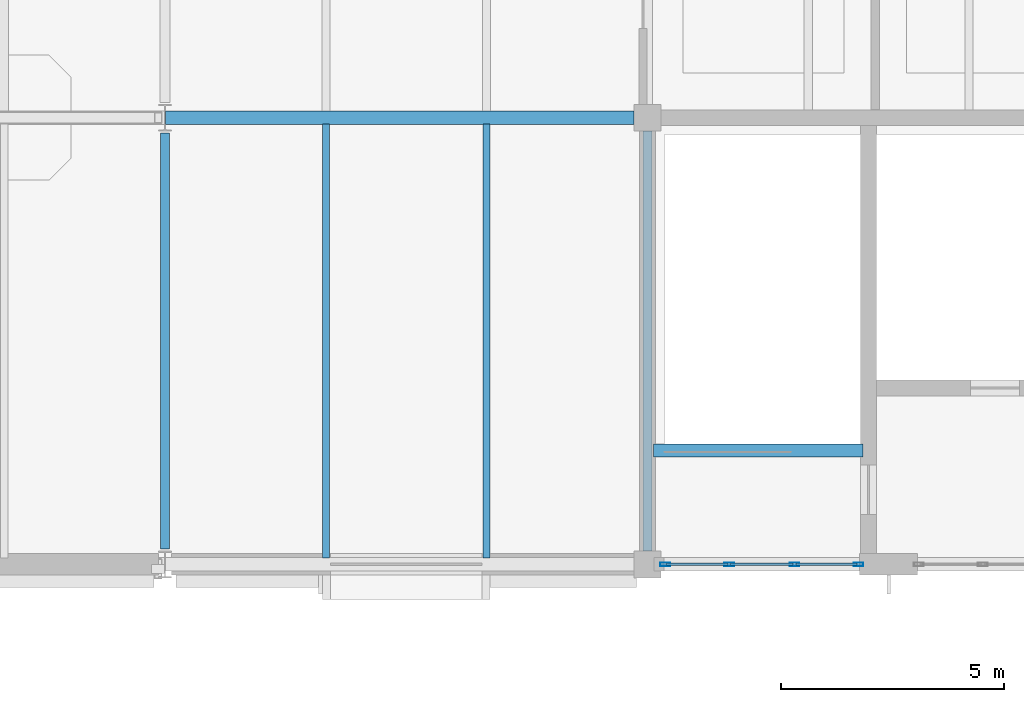
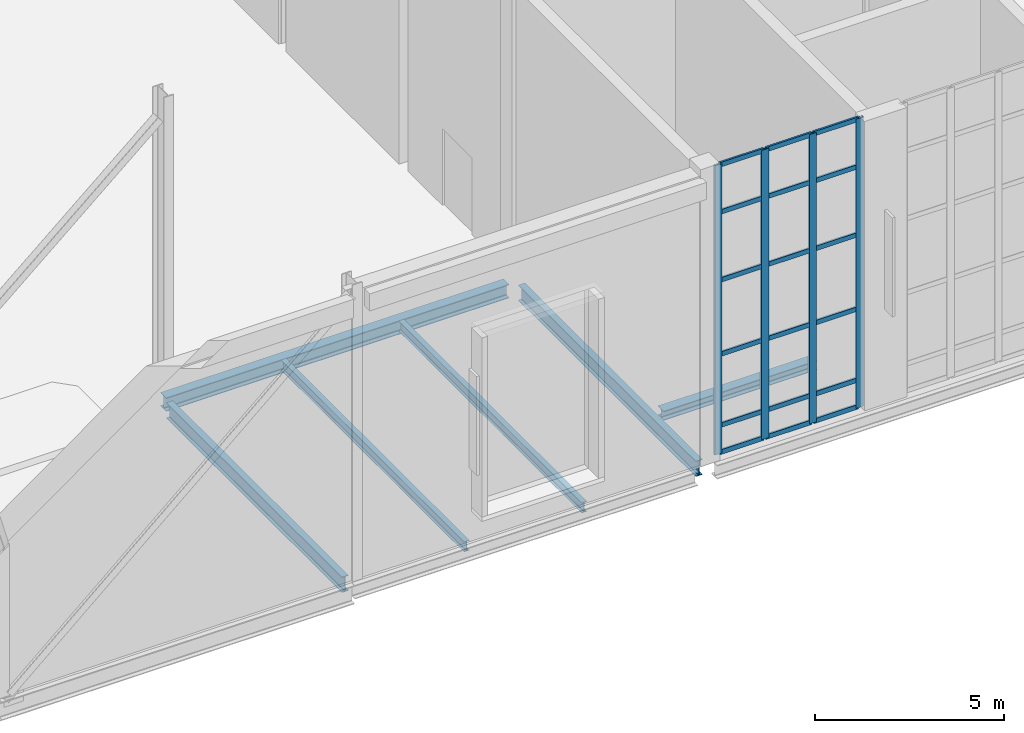
# One storey, part 17 of 100: 22 members, 6 beams, 1 element without a shape of its own.
"""IFC4 building model written with IfcOpenShell, lengths in metres."""

from ifc_helpers import new_model, si_unit, direction, frame, origin, origin_2d, place, context, subcontext, project, spatial, hollow_rectangle, i_section, extrude, material, layer, layer_set, material_profile, profile_set, type_object, element, aggregate, save


model = new_model("IFC4")

# Units and contexts
model_context = context("Model", 3, precision=1e-05, world=origin(), true_north=direction((0.0, 1.0)))
body_context = subcontext(model_context, "Body", "Model", "MODEL_VIEW")
ifc_project = project(units=[si_unit("LENGTHUNIT", "METRE"), si_unit("AREAUNIT", "SQUARE_METRE"), si_unit("VOLUMEUNIT", "CUBIC_METRE"), si_unit("PLANEANGLEUNIT", "RADIAN"), si_unit("MASSUNIT", "GRAM", prefix="KILO")], contexts=[model_context])

# Site, building, storey
site_placement = place(None, origin())
site = spatial("IfcSite", under=ifc_project, at=site_placement, CompositionType="ELEMENT")
building_placement = place(site_placement, origin())
building = spatial("IfcBuilding", under=site, at=building_placement, Name="Tasgan Crest Museum", CompositionType="ELEMENT")
storey_placement = place(building_placement, frame((0.0, 0.0, 14.39990234375)))
storey = spatial("IfcBuildingStorey", under=building, at=storey_placement, Name="L03", CompositionType="ELEMENT", Elevation=14.39990234375)

# Beams
ifc_material_1 = material(Name="Steel S355J2", Category="steel")
ifc_material_profile_1 = material_profile(ifc_material_1, i_section(OverallWidth=0.300048828125, OverallDepth=0.43994140625, WebThickness=0.011474609375, FlangeThickness=0.02099609375, FilletRadius=0.027099609375, at=origin_2d()), Name="HEA 450")
ifc_profile_set_1 = profile_set([ifc_material_profile_1], Name="Steel S355J2")
beam_type_1 = type_object("IfcBeamType", Name="BM-G-HEA450", PredefinedType="BEAM", material=ifc_profile_set_1)
beam_1_placement = place(storey_placement, frame((32.406494140625, 50.0, -0.47998046875), z_axis=(1.0, 0.0, 0.0), x_axis=(0.0, 1.0, 0.0)))
element("IfcBeam", 1, at=beam_1_placement, inside=storey, type_object=beam_type_1, Name="Girder L03 F 32.4-43.2", PredefinedType="BEAM", context=body_context, shape_type="SweptSolid", body=[
    extrude(i_section(OverallWidth=0.300048828125, OverallDepth=0.43994140625, WebThickness=0.011474609375, FlangeThickness=0.02099609375, FilletRadius=0.027099609375, at=origin_2d()), origin(), (0.0, 0.0, 1.0), 10.49755859375),
])
ifc_material_2 = material(Name="Steel S355J2", Category="steel")
ifc_material_profile_2 = material_profile(ifc_material_2, i_section(OverallWidth=0.300048828125, OverallDepth=0.300048828125, WebThickness=0.010986328125, FlangeThickness=0.01904296875, FilletRadius=0.027099609375, at=origin_2d()), Name="HEB 300")
ifc_profile_set_2 = profile_set([ifc_material_profile_2], Name="Steel S355J2")
beam_type_2 = type_object("IfcBeamType", Name="BM-G-HEB300", PredefinedType="BEAM", material=ifc_profile_set_2)
beam_2_placement = place(storey_placement, frame((43.330078125, 42.550048828125, -0.14990234375), z_axis=(1.0, 0.0, 0.0), x_axis=(0.0, 1.0, 0.0)))
element("IfcBeam", 2, at=beam_2_placement, inside=storey, type_object=beam_type_2, Name="South-West Foyer & Paleontology Core top stair trimmer L03", PredefinedType="BEAM", context=body_context, shape_type="SweptSolid", body=[
    extrude(i_section(OverallWidth=0.300048828125, OverallDepth=0.300048828125, WebThickness=0.010986328125, FlangeThickness=0.01904296875, FilletRadius=0.027099609375, at=origin_2d()), origin(), (0.0, 0.0, 1.0), 4.68994140625),
])
ifc_material_3 = material(Name="Steel S355J2", Category="steel")
ifc_material_profile_3 = material_profile(ifc_material_3, i_section(OverallWidth=0.199951171875, OverallDepth=0.5, WebThickness=0.01025390625, FlangeThickness=0.01611328125, FilletRadius=0.02099609375, at=origin_2d()), Name="IPE 500")
ifc_profile_set_3 = profile_set([ifc_material_profile_3], Name="Steel S355J2")
beam_type_3 = type_object("IfcBeamType", Name="BM-G-IPE500", PredefinedType="BEAM", material=ifc_profile_set_3)
beam_3_placement = place(storey_placement, frame((32.39990234375, 40.344970703125, -0.510009765625), z_axis=(0.0, 1.0, 0.0), x_axis=(-1.0, 0.0, 0.0)))
element("IfcBeam", 3, at=beam_3_placement, inside=storey, type_object=beam_type_3, Name="Beam L03 4 40.0-50.0", PredefinedType="BEAM", context=body_context, shape_type="SweptSolid", body=[
    extrude(i_section(OverallWidth=0.199951171875, OverallDepth=0.5, WebThickness=0.01025390625, FlangeThickness=0.01611328125, FilletRadius=0.02099609375, at=origin_2d()), origin(), (0.0, 0.0, 1.0), 9.31005859375),
])
beam_4_placement = place(storey_placement, frame((43.199951171875, 40.294921875, -0.510009765625), z_axis=(0.0, 1.0, 0.0), x_axis=(-1.0, 0.0, 0.0)))
element("IfcBeam", 4, at=beam_4_placement, inside=storey, type_object=beam_type_3, Name="Beam L03 5 40.0-50.0", PredefinedType="BEAM", context=body_context, shape_type="SweptSolid", body=[
    extrude(i_section(OverallWidth=0.199951171875, OverallDepth=0.5, WebThickness=0.01025390625, FlangeThickness=0.01611328125, FilletRadius=0.02099609375, at=origin_2d()), origin(), (0.0, 0.0, 1.0), 9.41015625),
])
ifc_material_4 = material(Name="Steel S355J2", Category="steel")
ifc_material_profile_4 = material_profile(ifc_material_4, i_section(OverallWidth=0.159912109375, OverallDepth=0.330078125, WebThickness=0.007568359375, FlangeThickness=0.011474609375, FilletRadius=0.01806640625, at=origin_2d()), Name="IPE 330")
ifc_profile_set_4 = profile_set([ifc_material_profile_4], Name="Steel S355J2")
beam_type_4 = type_object("IfcBeamType", Name="BM-J-IPE330", PredefinedType="JOIST", material=ifc_profile_set_4)
for number, where, z_axis, x_axis, name in (
    (5, (36.0, 40.14501953125, -0.4248046875), (0.0, 1.0, 0.0), (-1.0, 0.0, 0.0), "Secondary joist L03 X=36.0 Y=40.0-50.0"),
    (6, (39.60009765625, 40.14501953125, -0.4248046875), (0.0, 1.0, 0.0), (-1.0, 0.0, 0.0), "Secondary joist L03 X=39.6 Y=40.0-50.0"),
):
    element("IfcBeam", number, at=place(storey_placement, frame(where, z_axis=z_axis, x_axis=x_axis)), inside=storey, type_object=beam_type_4, Name=name, PredefinedType="JOIST", context=body_context, shape_type="SweptSolid", body=[
        extrude(i_section(OverallWidth=0.159912109375, OverallDepth=0.330078125, WebThickness=0.007568359375, FlangeThickness=0.011474609375, FilletRadius=0.01806640625, at=origin_2d()), origin(), (0.0, 0.0, 1.0), 9.7099609375),
    ])

# Curtain wall, members
ifc_material_5 = material(Name="Triple-Glazed Aluminium Curtain Wall", Category="aluminium")
ifc_layer = layer(ifc_material_5, 0.179931640625, Name="CW-CANT-SIDE-96")
ifc_layer_set = layer_set([ifc_layer], Name="Triple-Glazed Aluminium Curtain Wall")
curtain_wall_type = type_object("IfcCurtainWallType", Name="CW-CANT-SIDE-96", PredefinedType="NOTDEFINED", material=ifc_layer_set)
curtain_wall_placement = place(storey_placement, origin())
curtain_wall = element("IfcCurtainWall", 7, at=curtain_wall_placement, inside=storey, type_object=curtain_wall_type, Name="Curtain wall L03 143", PredefinedType="NOTDEFINED")
ifc_material_6 = material(Name="Anodised Aluminium", Category="aluminium")
ifc_material_profile_5 = material_profile(ifc_material_6, hollow_rectangle(XDim=0.074951171875, YDim=0.219970703125, WallThickness=0.006103515625, at=origin_2d()), Name="ALU MULLION 220x75x6")
ifc_profile_set_5 = profile_set([ifc_material_profile_5], Name="Anodised Aluminium")
member_type_1 = type_object("IfcMemberType", Name="CW-MULLION-220", PredefinedType="MULLION", material=ifc_profile_set_5)
member_1_placement = place(storey_placement, frame((43.594970703125, 40.0, 0.0), z_axis=(0.0, 0.0, 1.0), x_axis=(0.0, 1.0, 0.0)))
member_1 = element("IfcMember", 8, at=member_1_placement, type_object=member_type_1, Name="CW12 mullion 1", PredefinedType="MULLION", context=body_context, shape_type="SweptSolid", body=[
    extrude(hollow_rectangle(XDim=0.074951171875, YDim=0.219970703125, WallThickness=0.006103515625, at=origin_2d()), origin(), (0.0, 0.0, 1.0), 9.360107421875),
])
member_2_placement = place(storey_placement, frame((45.0283203125, 40.0, 0.0), z_axis=(0.0, 0.0, 1.0), x_axis=(0.0, 1.0, 0.0)))
member_2 = element("IfcMember", 9, at=member_2_placement, type_object=member_type_1, Name="CW12 mullion 2", PredefinedType="MULLION", context=body_context, shape_type="SweptSolid", body=[
    extrude(hollow_rectangle(XDim=0.074951171875, YDim=0.219970703125, WallThickness=0.006103515625, at=origin_2d()), origin(), (0.0, 0.0, 1.0), 9.360107421875),
])
member_3_placement = place(storey_placement, frame((46.49169921875, 40.0, 0.0), z_axis=(0.0, 0.0, 1.0), x_axis=(0.0, 1.0, 0.0)))
member_3 = element("IfcMember", 10, at=member_3_placement, type_object=member_type_1, Name="CW12 mullion 3", PredefinedType="MULLION", context=body_context, shape_type="SweptSolid", body=[
    extrude(hollow_rectangle(XDim=0.074951171875, YDim=0.219970703125, WallThickness=0.006103515625, at=origin_2d()), origin(), (0.0, 0.0, 1.0), 9.360107421875),
])
member_4_placement = place(storey_placement, frame((47.925048828125, 40.0, 0.0), z_axis=(0.0, 0.0, 1.0), x_axis=(0.0, 1.0, 0.0)))
member_4 = element("IfcMember", 11, at=member_4_placement, type_object=member_type_1, Name="CW12 mullion 4", PredefinedType="MULLION", context=body_context, shape_type="SweptSolid", body=[
    extrude(hollow_rectangle(XDim=0.074951171875, YDim=0.219970703125, WallThickness=0.006103515625, at=origin_2d()), origin(), (0.0, 0.0, 1.0), 9.360107421875),
])
ifc_material_7 = material(Name="Anodised Aluminium", Category="aluminium")
ifc_material_profile_6 = material_profile(ifc_material_7, hollow_rectangle(XDim=0.06005859375, YDim=0.14990234375, WallThickness=0.0048828125, at=origin_2d()), Name="ALU TRANSOM 150x60x5")
ifc_profile_set_6 = profile_set([ifc_material_profile_6], Name="Anodised Aluminium")
member_type_2 = type_object("IfcMemberType", Name="CW-TRANSOM-150", PredefinedType="USERDEFINED", material=ifc_profile_set_6)
member_5_placement = place(storey_placement, frame((43.625, 40.0, 0.030029296875), z_axis=(1.0, 0.0, 0.0), x_axis=(0.0, 1.0, 0.0)))
member_5 = element("IfcMember", 12, at=member_5_placement, type_object=member_type_2, Name="CW12 transom 1.1", ObjectType="TRANSOM", PredefinedType="USERDEFINED", context=body_context, shape_type="SweptSolid", body=[
    extrude(hollow_rectangle(XDim=0.06005859375, YDim=0.14990234375, WallThickness=0.0048828125, at=origin_2d()), origin(), (0.0, 0.0, 1.0), 1.373291015625),
])
member_6_placement = place(storey_placement, frame((43.625, 40.0, 0.900146484375), z_axis=(1.0, 0.0, 0.0), x_axis=(0.0, 1.0, 0.0)))
member_6 = element("IfcMember", 13, at=member_6_placement, type_object=member_type_2, Name="CW12 transom 1.2", ObjectType="TRANSOM", PredefinedType="USERDEFINED", context=body_context, shape_type="SweptSolid", body=[
    extrude(hollow_rectangle(XDim=0.06005859375, YDim=0.14990234375, WallThickness=0.0048828125, at=origin_2d()), origin(), (0.0, 0.0, 1.0), 1.373291015625),
])
member_7_placement = place(storey_placement, frame((43.625, 40.0, 3.2001953125), z_axis=(1.0, 0.0, 0.0), x_axis=(0.0, 1.0, 0.0)))
member_7 = element("IfcMember", 14, at=member_7_placement, type_object=member_type_2, Name="CW12 transom 1.3", ObjectType="TRANSOM", PredefinedType="USERDEFINED", context=body_context, shape_type="SweptSolid", body=[
    extrude(hollow_rectangle(XDim=0.06005859375, YDim=0.14990234375, WallThickness=0.0048828125, at=origin_2d()), origin(), (0.0, 0.0, 1.0), 1.373291015625),
])
member_8_placement = place(storey_placement, frame((43.625, 40.0, 5.60009765625), z_axis=(1.0, 0.0, 0.0), x_axis=(0.0, 1.0, 0.0)))
member_8 = element("IfcMember", 15, at=member_8_placement, type_object=member_type_2, Name="CW12 transom 1.4", ObjectType="TRANSOM", PredefinedType="USERDEFINED", context=body_context, shape_type="SweptSolid", body=[
    extrude(hollow_rectangle(XDim=0.06005859375, YDim=0.14990234375, WallThickness=0.0048828125, at=origin_2d()), origin(), (0.0, 0.0, 1.0), 1.373291015625),
])
member_9_placement = place(storey_placement, frame((43.625, 40.0, 7.800048828125), z_axis=(1.0, 0.0, 0.0), x_axis=(0.0, 1.0, 0.0)))
member_9 = element("IfcMember", 16, at=member_9_placement, type_object=member_type_2, Name="CW12 transom 1.5", ObjectType="TRANSOM", PredefinedType="USERDEFINED", context=body_context, shape_type="SweptSolid", body=[
    extrude(hollow_rectangle(XDim=0.06005859375, YDim=0.14990234375, WallThickness=0.0048828125, at=origin_2d()), origin(), (0.0, 0.0, 1.0), 1.373291015625),
])
member_10_placement = place(storey_placement, frame((43.625, 40.0, 9.330078125), z_axis=(1.0, 0.0, 0.0), x_axis=(0.0, 1.0, 0.0)))
member_10 = element("IfcMember", 17, at=member_10_placement, type_object=member_type_2, Name="CW12 transom 1.6", ObjectType="TRANSOM", PredefinedType="USERDEFINED", context=body_context, shape_type="SweptSolid", body=[
    extrude(hollow_rectangle(XDim=0.06005859375, YDim=0.14990234375, WallThickness=0.0048828125, at=origin_2d()), origin(), (0.0, 0.0, 1.0), 1.373291015625),
])
member_11_placement = place(storey_placement, frame((45.058349609375, 40.0, 0.030029296875), z_axis=(1.0, 0.0, 0.0), x_axis=(0.0, 1.0, 0.0)))
member_11 = element("IfcMember", 18, at=member_11_placement, type_object=member_type_2, Name="CW12 transom 2.1", ObjectType="TRANSOM", PredefinedType="USERDEFINED", context=body_context, shape_type="SweptSolid", body=[
    extrude(hollow_rectangle(XDim=0.06005859375, YDim=0.14990234375, WallThickness=0.0048828125, at=origin_2d()), origin(), (0.0, 0.0, 1.0), 1.4033203125),
])
member_12_placement = place(storey_placement, frame((45.058349609375, 40.0, 0.900146484375), z_axis=(1.0, 0.0, 0.0), x_axis=(0.0, 1.0, 0.0)))
member_12 = element("IfcMember", 19, at=member_12_placement, type_object=member_type_2, Name="CW12 transom 2.2", ObjectType="TRANSOM", PredefinedType="USERDEFINED", context=body_context, shape_type="SweptSolid", body=[
    extrude(hollow_rectangle(XDim=0.06005859375, YDim=0.14990234375, WallThickness=0.0048828125, at=origin_2d()), origin(), (0.0, 0.0, 1.0), 1.4033203125),
])
member_13_placement = place(storey_placement, frame((45.058349609375, 40.0, 3.2001953125), z_axis=(1.0, 0.0, 0.0), x_axis=(0.0, 1.0, 0.0)))
member_13 = element("IfcMember", 20, at=member_13_placement, type_object=member_type_2, Name="CW12 transom 2.3", ObjectType="TRANSOM", PredefinedType="USERDEFINED", context=body_context, shape_type="SweptSolid", body=[
    extrude(hollow_rectangle(XDim=0.06005859375, YDim=0.14990234375, WallThickness=0.0048828125, at=origin_2d()), origin(), (0.0, 0.0, 1.0), 1.4033203125),
])
member_14_placement = place(storey_placement, frame((45.058349609375, 40.0, 5.60009765625), z_axis=(1.0, 0.0, 0.0), x_axis=(0.0, 1.0, 0.0)))
member_14 = element("IfcMember", 21, at=member_14_placement, type_object=member_type_2, Name="CW12 transom 2.4", ObjectType="TRANSOM", PredefinedType="USERDEFINED", context=body_context, shape_type="SweptSolid", body=[
    extrude(hollow_rectangle(XDim=0.06005859375, YDim=0.14990234375, WallThickness=0.0048828125, at=origin_2d()), origin(), (0.0, 0.0, 1.0), 1.4033203125),
])
member_15_placement = place(storey_placement, frame((45.058349609375, 40.0, 7.800048828125), z_axis=(1.0, 0.0, 0.0), x_axis=(0.0, 1.0, 0.0)))
member_15 = element("IfcMember", 22, at=member_15_placement, type_object=member_type_2, Name="CW12 transom 2.5", ObjectType="TRANSOM", PredefinedType="USERDEFINED", context=body_context, shape_type="SweptSolid", body=[
    extrude(hollow_rectangle(XDim=0.06005859375, YDim=0.14990234375, WallThickness=0.0048828125, at=origin_2d()), origin(), (0.0, 0.0, 1.0), 1.4033203125),
])
member_16_placement = place(storey_placement, frame((45.058349609375, 40.0, 9.330078125), z_axis=(1.0, 0.0, 0.0), x_axis=(0.0, 1.0, 0.0)))
member_16 = element("IfcMember", 23, at=member_16_placement, type_object=member_type_2, Name="CW12 transom 2.6", ObjectType="TRANSOM", PredefinedType="USERDEFINED", context=body_context, shape_type="SweptSolid", body=[
    extrude(hollow_rectangle(XDim=0.06005859375, YDim=0.14990234375, WallThickness=0.0048828125, at=origin_2d()), origin(), (0.0, 0.0, 1.0), 1.4033203125),
])
member_17_placement = place(storey_placement, frame((46.521728515625, 40.0, 0.030029296875), z_axis=(1.0, 0.0, 0.0), x_axis=(0.0, 1.0, 0.0)))
member_17 = element("IfcMember", 24, at=member_17_placement, type_object=member_type_2, Name="CW12 transom 3.1", ObjectType="TRANSOM", PredefinedType="USERDEFINED", context=body_context, shape_type="SweptSolid", body=[
    extrude(hollow_rectangle(XDim=0.06005859375, YDim=0.14990234375, WallThickness=0.0048828125, at=origin_2d()), origin(), (0.0, 0.0, 1.0), 1.373291015625),
])
member_18_placement = place(storey_placement, frame((46.521728515625, 40.0, 0.900146484375), z_axis=(1.0, 0.0, 0.0), x_axis=(0.0, 1.0, 0.0)))
member_18 = element("IfcMember", 25, at=member_18_placement, type_object=member_type_2, Name="CW12 transom 3.2", ObjectType="TRANSOM", PredefinedType="USERDEFINED", context=body_context, shape_type="SweptSolid", body=[
    extrude(hollow_rectangle(XDim=0.06005859375, YDim=0.14990234375, WallThickness=0.0048828125, at=origin_2d()), origin(), (0.0, 0.0, 1.0), 1.373291015625),
])
member_19_placement = place(storey_placement, frame((46.521728515625, 40.0, 3.2001953125), z_axis=(1.0, 0.0, 0.0), x_axis=(0.0, 1.0, 0.0)))
member_19 = element("IfcMember", 26, at=member_19_placement, type_object=member_type_2, Name="CW12 transom 3.3", ObjectType="TRANSOM", PredefinedType="USERDEFINED", context=body_context, shape_type="SweptSolid", body=[
    extrude(hollow_rectangle(XDim=0.06005859375, YDim=0.14990234375, WallThickness=0.0048828125, at=origin_2d()), origin(), (0.0, 0.0, 1.0), 1.373291015625),
])
member_20_placement = place(storey_placement, frame((46.521728515625, 40.0, 5.60009765625), z_axis=(1.0, 0.0, 0.0), x_axis=(0.0, 1.0, 0.0)))
member_20 = element("IfcMember", 27, at=member_20_placement, type_object=member_type_2, Name="CW12 transom 3.4", ObjectType="TRANSOM", PredefinedType="USERDEFINED", context=body_context, shape_type="SweptSolid", body=[
    extrude(hollow_rectangle(XDim=0.06005859375, YDim=0.14990234375, WallThickness=0.0048828125, at=origin_2d()), origin(), (0.0, 0.0, 1.0), 1.373291015625),
])
member_21_placement = place(storey_placement, frame((46.521728515625, 40.0, 7.800048828125), z_axis=(1.0, 0.0, 0.0), x_axis=(0.0, 1.0, 0.0)))
member_21 = element("IfcMember", 28, at=member_21_placement, type_object=member_type_2, Name="CW12 transom 3.5", ObjectType="TRANSOM", PredefinedType="USERDEFINED", context=body_context, shape_type="SweptSolid", body=[
    extrude(hollow_rectangle(XDim=0.06005859375, YDim=0.14990234375, WallThickness=0.0048828125, at=origin_2d()), origin(), (0.0, 0.0, 1.0), 1.373291015625),
])
member_22_placement = place(storey_placement, frame((46.521728515625, 40.0, 9.330078125), z_axis=(1.0, 0.0, 0.0), x_axis=(0.0, 1.0, 0.0)))
member_22 = element("IfcMember", 29, at=member_22_placement, type_object=member_type_2, Name="CW12 transom 3.6", ObjectType="TRANSOM", PredefinedType="USERDEFINED", context=body_context, shape_type="SweptSolid", body=[
    extrude(hollow_rectangle(XDim=0.06005859375, YDim=0.14990234375, WallThickness=0.0048828125, at=origin_2d()), origin(), (0.0, 0.0, 1.0), 1.373291015625),
])
aggregate(curtain_wall, [member_1, member_2, member_3, member_4, member_5, member_6, member_7, member_8, member_9, member_10, member_11, member_12, member_13, member_14, member_15, member_16, member_17, member_18, member_19, member_20, member_21, member_22])

save(model, "model.ifc")
